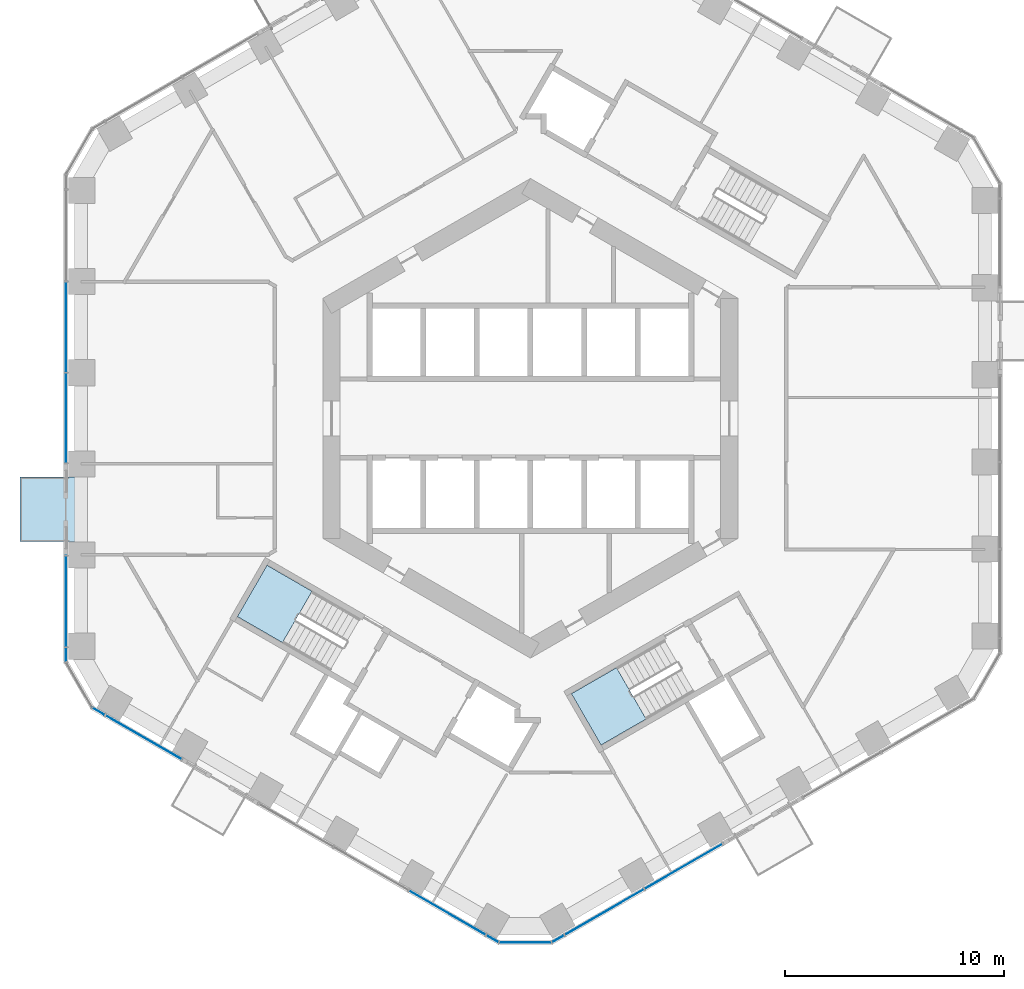
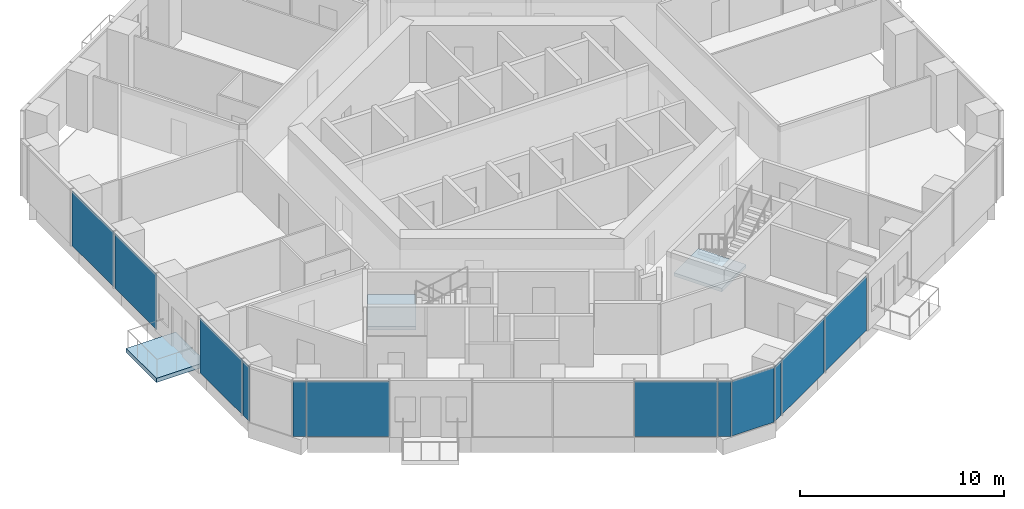
# One storey, part 8 of 19: 12 plates, 3 slabs, 9 elements without a shape of their own.
"""IFC4 building model written with IfcOpenShell, lengths in metres."""

from ifc_helpers import new_model, si_unit, direction, frame, origin, origin_2d, place, context, subcontext, project, spatial, polyline, rectangle, outline, extrude, material, layer, layer_set, type_object, element, aggregate, save


model = new_model("IFC4")

# Units and contexts
model_context = context("Model", 3, precision=1e-05, world=origin(), true_north=direction((0.0, 1.0)))
body_context = subcontext(model_context, "Body", "Model", "MODEL_VIEW")
ifc_project = project(units=[si_unit("LENGTHUNIT", "METRE"), si_unit("AREAUNIT", "SQUARE_METRE"), si_unit("VOLUMEUNIT", "CUBIC_METRE"), si_unit("PLANEANGLEUNIT", "RADIAN"), si_unit("MASSUNIT", "GRAM", prefix="KILO")], contexts=[model_context])

# Site, building, storey
site_placement = place(None, origin())
site = spatial("IfcSite", under=ifc_project, at=site_placement, CompositionType="ELEMENT")
building_placement = place(site_placement, origin())
building = spatial("IfcBuilding", under=site, at=building_placement, Name="Ayvan Gate Tower", CompositionType="ELEMENT")
storey_placement = place(building_placement, frame((0.0, 0.0, 39.10009765625)))
storey = spatial("IfcBuildingStorey", under=building, at=storey_placement, Name="L09", CompositionType="ELEMENT", Elevation=39.10009765625)

# Slab
ifc_material_1 = material(Name="Concrete C40/50", Category="concrete")
ifc_layer_1 = layer(ifc_material_1, 0.25)
ifc_layer_set_1 = layer_set([ifc_layer_1], Name="Concrete C40/50")
slab_type_1 = type_object("IfcSlabType", Name="Balcony slab 250", PredefinedType="FLOOR", material=ifc_layer_set_1)
slab_1_placement = place(storey_placement, frame((0.0, 0.0, -0.25)))
element("IfcSlab", 1, at=slab_1_placement, inside=storey, type_object=slab_type_1, Name="Balcony slab BAL-L09-3", PredefinedType="FLOOR", context=body_context, shape_type="SweptSolid", body=[
    extrude(outline(polyline([(-20.547119140625, -2.680908203125), (-20.547119140625, -5.64306640625), (-23.34716796875, -5.64306640625), (-23.34716796875, -2.680908203125), (-20.547119140625, -2.680908203125)])), origin(), (0.0, 0.0, 1.0), 0.25),
])

# Stair, slab
stair_type = type_object("IfcStairType", Name="ST-EXIT", PredefinedType="HALF_TURN_STAIR", material=ifc_material_1)
stair_1_placement = place(storey_placement, origin())
stair_1 = element("IfcStair", 2, at=stair_1_placement, inside=storey, type_object=stair_type, Name="L09 Exit Stair S2", PredefinedType="HALF_TURN_STAIR")
ifc_layer_2 = layer(ifc_material_1, 0.199951171875)
ifc_layer_set_2 = layer_set([ifc_layer_2], Name="Concrete C40/50")
slab_type_2 = type_object("IfcSlabType", Name="SL-LANDING-200", PredefinedType="LANDING", material=ifc_layer_set_2)
slab_2_placement = place(storey_placement, frame((0.0, 0.0, 1.5)))
slab_2 = element("IfcSlab", 3, at=slab_2_placement, type_object=slab_type_2, Name="STS2 landing 1", PredefinedType="LANDING", context=body_context, shape_type="SweptSolid", body=[
    extrude(outline(polyline([(-9.988525390625, -7.91064453125), (-12.049560546875, -6.720458984375), (-13.404541015625, -9.0673828125), (-11.343505859375, -10.257568359375), (-9.988525390625, -7.91064453125)])), origin(), (0.0, 0.0, 1.0), 0.199951171875),
])
aggregate(stair_1, [slab_2])

stair_2_placement = place(storey_placement, origin())
stair_2 = element("IfcStair", 4, at=stair_2_placement, inside=storey, type_object=stair_type, Name="L09 Exit Stair S3", PredefinedType="HALF_TURN_STAIR")
slab_3_placement = place(storey_placement, frame((0.0, 0.0, 1.5)))
slab_3 = element("IfcSlab", 5, at=slab_3_placement, type_object=slab_type_2, Name="STS3 landing 1", PredefinedType="LANDING", context=body_context, shape_type="SweptSolid", body=[
    extrude(outline(polyline([(3.93505859375, -11.405517578125), (1.873779296875, -12.595458984375), (3.228759765625, -14.9423828125), (5.2900390625, -13.75244140625), (3.93505859375, -11.405517578125)])), origin(), (0.0, 0.0, 1.0), 0.199951171875),
])
aggregate(stair_2, [slab_3])

# Curtain wall, plates
ifc_material_2 = material(Name="Bronze anodised aluminium", Category="aluminium")
ifc_layer_3 = layer(ifc_material_2, 0.199951171875)
ifc_layer_set_3 = layer_set([ifc_layer_3], Name="Bronze anodised aluminium")
curtain_wall_type_1 = type_object("IfcCurtainWallType", Name="Stick curtain wall CW-1", PredefinedType="NOTDEFINED", material=ifc_layer_set_3)
curtain_wall_1_placement = place(storey_placement, origin())
curtain_wall_1 = element("IfcCurtainWall", 6, at=curtain_wall_1_placement, inside=storey, type_object=curtain_wall_type_1, Name="Stick curtain wall CW-1 L09", PredefinedType="NOTDEFINED")
ifc_material_3 = material(Name="Clear low-iron laminated glass", Category="glass")
ifc_layer_4 = layer(ifc_material_3, 0.028076171875)
ifc_layer_set_4 = layer_set([ifc_layer_4], Name="Clear low-iron laminated glass")
plate_type_1 = type_object("IfcPlateType", Name="Stick curtain wall CW-1 glass panel", PredefinedType="CURTAIN_PANEL", material=ifc_layer_set_4)
plate_1_placement = place(storey_placement, frame((-21.247314453125, 4.168701171875, 0.0), z_axis=(0.0, 0.0, 1.0), x_axis=(0.0, -1.0, 0.0)))
plate_1 = element("IfcPlate", 7, at=plate_1_placement, type_object=plate_type_1, Name="CW-1 glass panel 2", PredefinedType="CURTAIN_PANEL", context=body_context, shape_type="SweptSolid", body=[
    extrude(rectangle(XDim=4.10888671875, YDim=0.028076171875, at=origin_2d()), origin(), (0.0, 0.0, 1.0), 3.280029296875),
])
plate_2_placement = place(storey_placement, frame((-21.247314453125, -0.000244140625, 0.0), z_axis=(0.0, 0.0, 1.0), x_axis=(0.0, -1.0, 0.0)))
plate_2 = element("IfcPlate", 8, at=plate_2_placement, type_object=plate_type_1, Name="CW-1 glass panel 3", PredefinedType="CURTAIN_PANEL", context=body_context, shape_type="SweptSolid", body=[
    extrude(rectangle(XDim=4.10888671875, YDim=0.028076171875, at=origin_2d()), origin(), (0.0, 0.0, 1.0), 3.280029296875),
])
aggregate(curtain_wall_1, [plate_1, plate_2])

# Curtain wall, plate
curtain_wall_2_placement = place(storey_placement, origin())
curtain_wall_2 = element("IfcCurtainWall", 9, at=curtain_wall_2_placement, inside=storey, type_object=curtain_wall_type_1, Name="Stick curtain wall CW-1 L09", PredefinedType="NOTDEFINED")
plate_3_placement = place(storey_placement, frame((-21.247314453125, -8.375, 0.0), z_axis=(0.0, 0.0, 1.0), x_axis=(0.0, -1.0, 0.0)))
plate_3 = element("IfcPlate", 10, at=plate_3_placement, type_object=plate_type_1, Name="CW-1 glass panel 1", PredefinedType="CURTAIN_PANEL", context=body_context, shape_type="SweptSolid", body=[
    extrude(rectangle(XDim=4.184326171875, YDim=0.028076171875, at=origin_2d()), origin(), (0.0, 0.0, 1.0), 3.280029296875),
])
aggregate(curtain_wall_2, [plate_3])

curtain_wall_3_placement = place(storey_placement, origin())
curtain_wall_3 = element("IfcCurtainWall", 11, at=curtain_wall_3_placement, inside=storey, type_object=curtain_wall_type_1, Name="Stick curtain wall CW-1 L09", PredefinedType="NOTDEFINED")
plate_4_placement = place(storey_placement, frame((-17.697265625, -14.5908203125, 0.0), z_axis=(0.0, 0.0, 1.0), x_axis=(0.866025403784, -0.5, 0.0)))
plate_4 = element("IfcPlate", 12, at=plate_4_placement, type_object=plate_type_1, Name="CW-1 glass panel 1", PredefinedType="CURTAIN_PANEL", context=body_context, shape_type="SweptSolid", body=[
    extrude(rectangle(XDim=4.050048828125, YDim=0.028076171875, at=origin_2d()), origin(), (0.0, 0.0, 1.0), 3.280029296875),
])
aggregate(curtain_wall_3, [plate_4])

curtain_wall_4_placement = place(storey_placement, origin())
curtain_wall_4 = element("IfcCurtainWall", 13, at=curtain_wall_4_placement, inside=storey, type_object=curtain_wall_type_1, Name="Stick curtain wall CW-1 L09", PredefinedType="NOTDEFINED")
plate_5_placement = place(storey_placement, frame((-3.787353515625, -22.621826171875, 0.0), z_axis=(0.0, 0.0, 1.0), x_axis=(0.866025403784, -0.5, 0.0)))
plate_5 = element("IfcPlate", 14, at=plate_5_placement, type_object=plate_type_1, Name="CW-1 glass panel 3", PredefinedType="CURTAIN_PANEL", context=body_context, shape_type="SweptSolid", body=[
    extrude(rectangle(XDim=4.050048828125, YDim=0.028076171875, at=origin_2d()), origin(), (0.0, 0.0, 1.0), 3.280029296875),
])
aggregate(curtain_wall_4, [plate_5])

# Curtain wall, plates
curtain_wall_5_placement = place(storey_placement, origin())
curtain_wall_5 = element("IfcCurtainWall", 15, at=curtain_wall_5_placement, inside=storey, type_object=curtain_wall_type_1, Name="Stick curtain wall CW-1 L09", PredefinedType="NOTDEFINED")
plate_6_placement = place(storey_placement, frame((3.37060546875, -22.588134765625, 0.0), z_axis=(0.0, 0.0, 1.0), x_axis=(0.866025403784, 0.5, 0.0)))
plate_6 = element("IfcPlate", 16, at=plate_6_placement, type_object=plate_type_1, Name="CW-1 glass panel 1", PredefinedType="CURTAIN_PANEL", context=body_context, shape_type="SweptSolid", body=[
    extrude(rectangle(XDim=4.18408203125, YDim=0.028076171875, at=origin_2d()), origin(), (0.0, 0.0, 1.0), 3.280029296875),
])
plate_7_placement = place(storey_placement, frame((7.013427734375, -20.48486328125, 0.0), z_axis=(0.0, 0.0, 1.0), x_axis=(0.866025403784, 0.5, 0.0)))
plate_7 = element("IfcPlate", 17, at=plate_7_placement, type_object=plate_type_1, Name="CW-1 glass panel 2", PredefinedType="CURTAIN_PANEL", context=body_context, shape_type="SweptSolid", body=[
    extrude(rectangle(XDim=4.10888671875, YDim=0.028076171875, at=origin_2d()), origin(), (0.0, 0.0, 1.0), 3.280029296875),
])
aggregate(curtain_wall_5, [plate_6, plate_7])

ifc_layer_5 = layer(ifc_material_2, 0.199951171875)
ifc_layer_set_5 = layer_set([ifc_layer_5], Name="Bronze anodised aluminium")
curtain_wall_type_2 = type_object("IfcCurtainWallType", Name="Stick curtain wall CW-6", PredefinedType="NOTDEFINED", material=ifc_layer_set_5)
curtain_wall_6_placement = place(storey_placement, origin())
curtain_wall_6 = element("IfcCurtainWall", 18, at=curtain_wall_6_placement, inside=storey, type_object=curtain_wall_type_2, Name="Stick curtain wall CW-6 L09", PredefinedType="NOTDEFINED")
ifc_layer_6 = layer(ifc_material_3, 0.028076171875)
ifc_layer_set_6 = layer_set([ifc_layer_6], Name="Clear low-iron laminated glass")
plate_type_2 = type_object("IfcPlateType", Name="Stick curtain wall CW-6 glass panel", PredefinedType="CURTAIN_PANEL", material=ifc_layer_set_6)
plate_8_placement = place(storey_placement, frame((-21.247314453125, -10.8095703125, 0.0), z_axis=(0.0, 0.0, 1.0), x_axis=(0.0, -1.0, 0.0)))
plate_8 = element("IfcPlate", 19, at=plate_8_placement, type_object=plate_type_2, Name="CW-6 glass panel 1", PredefinedType="CURTAIN_PANEL", context=body_context, shape_type="SweptSolid", body=[
    extrude(rectangle(XDim=0.625, YDim=0.028076171875, at=origin_2d()), origin(), (0.0, 0.0, 1.0), 3.280029296875),
])
plate_9_placement = place(storey_placement, frame((-19.74755859375, -13.406982421875, 0.0), z_axis=(0.0, 0.0, 1.0), x_axis=(0.866025403784, -0.5, 0.0)))
plate_9 = element("IfcPlate", 20, at=plate_9_placement, type_object=plate_type_2, Name="CW-6 glass panel 3", PredefinedType="CURTAIN_PANEL", context=body_context, shape_type="SweptSolid", body=[
    extrude(rectangle(XDim=0.625, YDim=0.028076171875, at=origin_2d()), origin(), (0.0, 0.0, 1.0), 3.280029296875),
])
aggregate(curtain_wall_6, [plate_8, plate_9])

curtain_wall_7_placement = place(storey_placement, origin())
curtain_wall_7 = element("IfcCurtainWall", 21, at=curtain_wall_7_placement, inside=storey, type_object=curtain_wall_type_2, Name="Stick curtain wall CW-6 L09", PredefinedType="NOTDEFINED")
plate_10_placement = place(storey_placement, frame((-1.737060546875, -23.805419921875, 0.0), z_axis=(0.0, 0.0, 1.0), x_axis=(0.866025403784, -0.5, 0.0)))
plate_10 = element("IfcPlate", 22, at=plate_10_placement, type_object=plate_type_2, Name="CW-6 glass panel 1", PredefinedType="CURTAIN_PANEL", context=body_context, shape_type="SweptSolid", body=[
    extrude(rectangle(XDim=0.625, YDim=0.028076171875, at=origin_2d()), origin(), (0.0, 0.0, 1.0), 3.280029296875),
])
plate_11_placement = place(storey_placement, frame((-0.2373046875, -23.97412109375, 0.0), z_axis=(0.0, 0.0, 1.0), x_axis=(1.0, 0.0, 0.0)))
plate_11 = element("IfcPlate", 23, at=plate_11_placement, type_object=plate_type_2, Name="CW-6 glass panel 2", PredefinedType="CURTAIN_PANEL", context=body_context, shape_type="SweptSolid", body=[
    extrude(rectangle(XDim=2.364501953125, YDim=0.028076171875, at=origin_2d()), origin(), (0.0, 0.0, 1.0), 3.280029296875),
])
plate_12_placement = place(storey_placement, frame((1.26220703125, -23.805419921875, 0.0), z_axis=(0.0, 0.0, 1.0), x_axis=(0.866025403784, 0.5, 0.0)))
plate_12 = element("IfcPlate", 24, at=plate_12_placement, type_object=plate_type_2, Name="CW-6 glass panel 3", PredefinedType="CURTAIN_PANEL", context=body_context, shape_type="SweptSolid", body=[
    extrude(rectangle(XDim=0.625, YDim=0.028076171875, at=origin_2d()), origin(), (0.0, 0.0, 1.0), 3.280029296875),
])
aggregate(curtain_wall_7, [plate_10, plate_11, plate_12])

save(model, "model.ifc")
